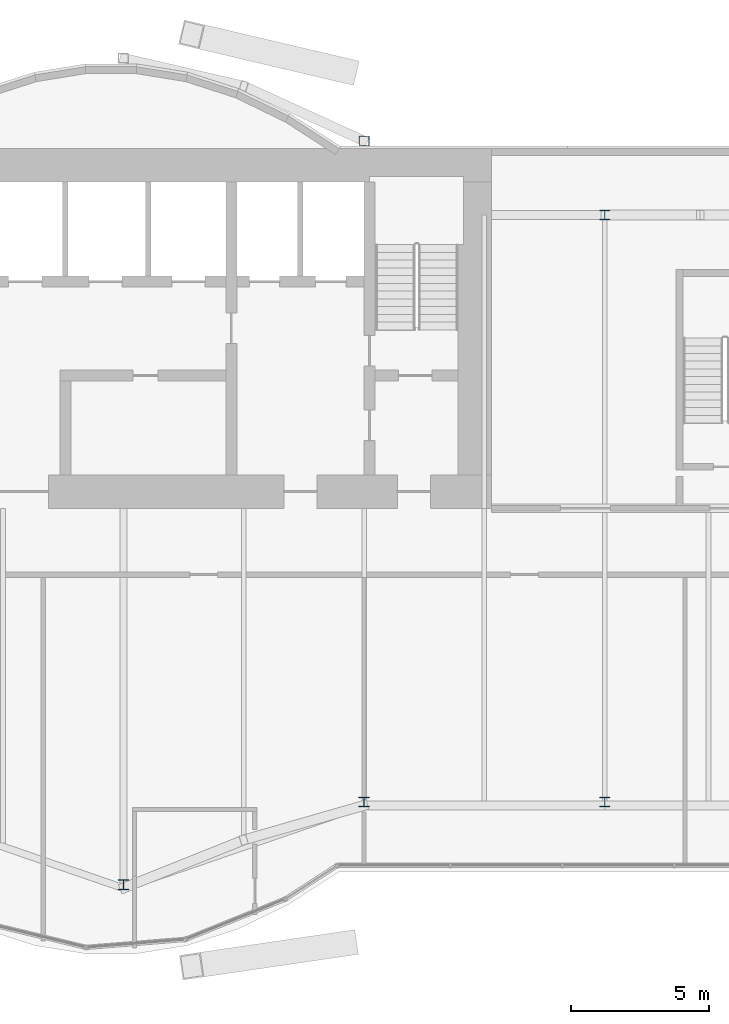
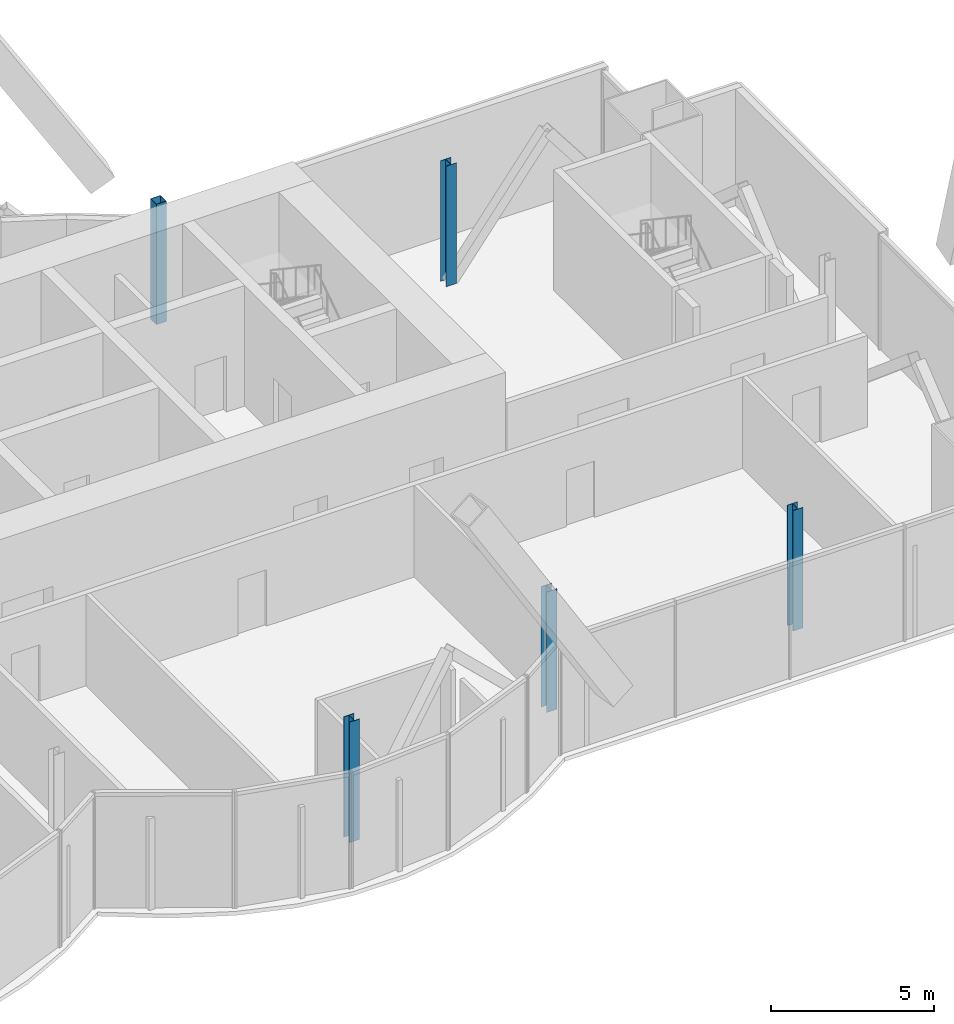
# One storey, part 2 of 22: 5 columns.
"""IFC4 building model written with IfcOpenShell, lengths in metres."""

import ifcopenshell
import ifcopenshell.guid

model = None  # the IFC model being written
_history = None  # IfcOwnerHistory: only IFC2X3 demands one
_inside = {}  # id of a spatial element -> (the spatial element, [elements in it])
_under = {}  # id of a project, library or spatial element -> (it, [spatial elements below it])
_declared = {}  # id of a project -> (the project, [libraries it declares])
_typed = {}  # id of a type object -> (the type object, [elements of that type])
_made_of = {}  # id of a material, layer set ... -> (it, [elements and type objects made of it])


def new_model(schema):
    """Start an empty IFC model of exactly this schema.

    Asked for "IFC4X3", IfcOpenShell would pick the latest addendum, in which some entities
    have other attributes; the version numbers below select the first issue.
    IFC2X3 requires an IfcOwnerHistory on every rooted entity: one is made here for all.
    """
    global model, _history
    if schema == "IFC4X3":
        model = ifcopenshell.file(schema_version=(4, 3, 0, 0))
    else:
        model = ifcopenshell.file(schema=schema)
    _inside.clear()
    _under.clear()
    _declared.clear()
    _typed.clear()
    _made_of.clear()
    _history = None
    if model.schema == "IFC2X3":
        org = make("IfcOrganization", Name="unknown")
        user = make(
            "IfcPersonAndOrganization",
            ThePerson=make("IfcPerson", FamilyName="unknown"),
            TheOrganization=org,
        )
        app = make(
            "IfcApplication",
            ApplicationDeveloper=org,
            Version="unknown",
            ApplicationFullName="unknown",
            ApplicationIdentifier="unknown",
        )
        _history = make(
            "IfcOwnerHistory",
            OwningUser=user,
            OwningApplication=app,
            ChangeAction="ADDED",
            CreationDate=0,
        )
    return model


def make(cls, **values):
    """One entity of the class cls with the attributes given. An attribute that is None is left unset."""
    return model.create_entity(
        cls, **{name: value for name, value in values.items() if value is not None}
    )


def rooted(cls, **values):
    """An entity with a GlobalId (a new one), such as an element, a storey or a relation."""
    return make(cls, GlobalId=ifcopenshell.guid.new(), OwnerHistory=_history, **values)


def si_unit(unit_type, name, prefix=None):
    """IfcSIUnit, for example si_unit("LENGTHUNIT", "METRE", prefix="MILLI")."""
    return make("IfcSIUnit", UnitType=unit_type, Prefix=prefix, Name=name)


def assignment(units):
    """IfcUnitAssignment: the units of a project."""
    return None if units is None else make("IfcUnitAssignment", Units=units)


def point(xyz):
    """IfcCartesianPoint."""
    return None if xyz is None else make("IfcCartesianPoint", Coordinates=xyz)


def direction(xyz):
    """IfcDirection."""
    return None if xyz is None else make("IfcDirection", DirectionRatios=xyz)


def frame(location, z_axis=None, x_axis=None):
    """IfcAxis2Placement3D, a coordinate frame: its origin and axes. An axis left out is left unset."""
    return make(
        "IfcAxis2Placement3D",
        Location=point(location),
        Axis=direction(z_axis),
        RefDirection=direction(x_axis),
    )


def frame_2d(location, x_axis=None):
    """IfcAxis2Placement2D, a coordinate frame in the plane: its origin and x axis."""
    return make(
        "IfcAxis2Placement2D", Location=point(location), RefDirection=direction(x_axis)
    )


def origin():
    """The frame at (0, 0, 0) with its axes left unset."""
    return frame((0.0, 0.0, 0.0))


def origin_2d():
    """The frame at (0, 0) in the plane with its x axis left unset."""
    return frame_2d((0.0, 0.0))


def place(relative_to, where):
    """IfcLocalPlacement: puts the frame where relative to a parent placement (None: the world)."""
    return make(
        "IfcLocalPlacement", PlacementRelTo=relative_to, RelativePlacement=where
    )


def context(
    kind, dimensions, precision=None, world=None, true_north=None, identifier=None
):
    """IfcGeometricRepresentationContext, for example the 3D "Model" context."""
    return make(
        "IfcGeometricRepresentationContext",
        ContextIdentifier=identifier,
        ContextType=kind,
        CoordinateSpaceDimension=dimensions,
        Precision=precision,
        WorldCoordinateSystem=world,
        TrueNorth=true_north,
    )


def subcontext(parent, identifier, kind, view, scale=None):
    """IfcGeometricRepresentationSubContext, for example "Body" below "Model"."""
    return make(
        "IfcGeometricRepresentationSubContext",
        ContextIdentifier=identifier,
        ContextType=kind,
        ParentContext=parent,
        TargetScale=scale,
        TargetView=view,
    )


def project(units=None, contexts=None):
    """IfcProject with its units and contexts."""
    return rooted(
        "IfcProject",
        Name="project",
        RepresentationContexts=contexts,
        UnitsInContext=assignment(units),
    )


def spatial(cls, under=None, at=None, **own):
    """A site, building, storey or space (cls), placed at a placement, below another one or the project."""
    s = rooted(cls, ObjectPlacement=at, **own)
    if under is not None:
        _under.setdefault(under.id(), (under, []))[1].append(s)
    return s


def profile(cls, at=None, kind="AREA", **sizes):
    """A parametric profile (cls). Its sizes go by their IFC names, for example OverallWidth=200.0."""
    return make(cls, ProfileType=kind, Position=at, **sizes)


def hollow_rectangle(**sizes):
    """IfcRectangleHollowProfileDef."""
    return profile("IfcRectangleHollowProfileDef", **sizes)


def i_section(**sizes):
    """IfcIShapeProfileDef."""
    return profile("IfcIShapeProfileDef", **sizes)


def extrude(swept, where, along, depth):
    """IfcExtrudedAreaSolid: the profile swept, set in the frame where, extruded along a direction by depth."""
    return make(
        "IfcExtrudedAreaSolid",
        SweptArea=swept,
        Position=where,
        ExtrudedDirection=direction(along),
        Depth=depth,
    )


def shape(context_of_items, identifier, shape_type, items):
    """IfcShapeRepresentation: the items that make up one representation, for example the "Body"."""
    return make(
        "IfcShapeRepresentation",
        ContextOfItems=context_of_items,
        RepresentationIdentifier=identifier,
        RepresentationType=shape_type,
        Items=items,
    )


def material(Name=None, Category=None):
    """IfcMaterial."""
    return make("IfcMaterial", Name=Name, Category=Category)


def material_profile(
    of_material, cross_section, Name=None, Category=None, Priority=None
):
    """IfcMaterialProfile: a cross section and its material."""
    return make(
        "IfcMaterialProfile",
        Name=Name,
        Material=of_material,
        Profile=cross_section,
        Priority=Priority,
        Category=Category,
    )


def profile_set(profiles, Name=None, composite=None):
    """IfcMaterialProfileSet."""
    return make(
        "IfcMaterialProfileSet",
        Name=Name,
        MaterialProfiles=profiles,
        CompositeProfile=composite,
    )


def made_of(thing, what):
    """Note that an element or type object is made of a material, layer set ...; save() writes the relation."""
    if what is not None:
        _made_of.setdefault(what.id(), (what, []))[1].append(thing)
    return thing


def type_object(cls, material=None, **own):
    """A type object (cls), such as IfcWallType, which elements share."""
    return made_of(rooted(cls, **own), material)


def element(
    cls,
    number,
    at=None,
    inside=None,
    cuts=None,
    type_object=None,
    material=None,
    context=None,
    identifier="Body",
    shape_type=None,
    held_by="IfcProductDefinitionShape",
    body=None,
    shapes=None,
    **own,
):
    """One element of the class cls, such as IfcWall. Its Tag is "e" and its number.

    at: its placement. inside: the storey or other place that contains it. cuts: it is an
    opening in that element (IfcRelVoidsElement). A single representation is given by context,
    identifier, shape_type and body (its items); several are given by shapes. held_by: the class
    of the entity that holds the representations. save() writes the other relations.
    """
    e = rooted(cls, Tag="e%d" % number, ObjectPlacement=at, **own)
    if body is not None:
        shapes = [shape(context, identifier, shape_type, body)]
    if shapes is not None:
        e.Representation = make(held_by, Representations=shapes)
    if inside is not None:
        _inside.setdefault(inside.id(), (inside, []))[1].append(e)
    if cuts is not None:
        rooted(
            "IfcRelVoidsElement", RelatingBuildingElement=cuts, RelatedOpeningElement=e
        )
    if type_object is not None:
        _typed.setdefault(type_object.id(), (type_object, []))[1].append(e)
    return made_of(e, material)


def aggregate(whole, parts):
    """IfcRelAggregates: a whole, such as a stair, and the parts it consists of."""
    return rooted("IfcRelAggregates", RelatingObject=whole, RelatedObjects=parts)


def save(model, path):
    """Write the relations noted so far, then the file.

    IfcRelAggregates (storeys below a building ...), IfcRelContainedInSpatialStructure (elements
    in a storey), IfcRelDefinesByType, IfcRelAssociatesMaterial and IfcRelDeclares: one each for
    every whole, place, type object, material and project.
    """
    for whole, parts in _under.values():
        aggregate(whole, parts)
    for where, things in _inside.values():
        rooted(
            "IfcRelContainedInSpatialStructure",
            RelatedElements=things,
            RelatingStructure=where,
        )
    for kind, things in _typed.values():
        rooted("IfcRelDefinesByType", RelatedObjects=things, RelatingType=kind)
    for what, things in _made_of.values():
        rooted("IfcRelAssociatesMaterial", RelatedObjects=things, RelatingMaterial=what)
    for by, libraries in _declared.values():
        rooted("IfcRelDeclares", RelatingContext=by, RelatedDefinitions=libraries)
    model.write(path)


model = new_model("IFC4")

# Units and contexts
model_context = context("Model", 3, precision=1e-05, world=origin(), true_north=direction((0.0, 1.0)))
body_context = subcontext(model_context, "Body", "Model", "MODEL_VIEW")
ifc_project = project(units=[si_unit("LENGTHUNIT", "METRE"), si_unit("AREAUNIT", "SQUARE_METRE"), si_unit("VOLUMEUNIT", "CUBIC_METRE"), si_unit("PLANEANGLEUNIT", "RADIAN"), si_unit("MASSUNIT", "GRAM", prefix="KILO")], contexts=[model_context])

# Site, building, storey
site_placement = place(None, origin())
site = spatial("IfcSite", under=ifc_project, at=site_placement, CompositionType="ELEMENT")
building_placement = place(site_placement, origin())
building = spatial("IfcBuilding", under=site, at=building_placement, Name="Bicima Exchange Tower", CompositionType="ELEMENT")
storey_placement = place(building_placement, frame((0.0, 0.0, 315.5)))
storey = spatial("IfcBuildingStorey", under=building, at=storey_placement, Name="L71", CompositionType="ELEMENT", Elevation=315.5)

# Columns
ifc_material_1 = material(Name="Steel ASTM A992 Gr 50", Category="steel")
ifc_material_profile_1 = material_profile(ifc_material_1, i_section(OverallWidth=0.368408203125, OverallDepth=0.355712890625, WebThickness=0.01123046875, FlangeThickness=0.01806640625, at=origin_2d()))
ifc_profile_set_1 = profile_set([ifc_material_profile_1], Name="Steel ASTM A992 Gr 50")
column_type_1 = type_object("IfcColumnType", Name="Perimeter column W14x90", PredefinedType="COLUMN", material=ifc_profile_set_1)
for number, where, z_axis, x_axis, name in (
    (1, (8.699951171875, -26.609130859375, 0.0), (0.0, 0.0, 1.0), (1.0, 0.0, 0.0), "Perimeter column grav+8.7f"),
    (2, (17.39990234375, -23.617919921875, 0.0), (0.0, 0.0, 1.0), (1.0, 0.0, 0.0), "Perimeter column grav+17.4f"),
    (3, (26.10009765625, -23.617919921875, 0.0), (0.0, 0.0, 1.0), (1.0, 0.0, 0.0), "Perimeter column grav+26.1f"),
    (4, (26.10009765625, -2.39990234375, 0.0), (0.0, 0.0, 1.0), (1.0, 0.0, 0.0), "Perimeter column grav+26.1r"),
):
    element("IfcColumn", number, at=place(storey_placement, frame(where, z_axis=z_axis, x_axis=x_axis)), inside=storey, type_object=column_type_1, Name=name, PredefinedType="COLUMN", context=body_context, shape_type="SweptSolid", body=[
        extrude(i_section(OverallWidth=0.368408203125, OverallDepth=0.355712890625, WebThickness=0.01123046875, FlangeThickness=0.01806640625, at=origin_2d()), origin(), (0.0, 0.0, 1.0), 4.5),
    ])
ifc_material_2 = material(Name="Steel ASTM A572 Gr 50", Category="steel")
ifc_material_profile_2 = material_profile(ifc_material_2, hollow_rectangle(XDim=0.355712890625, YDim=0.355712890625, WallThickness=0.01171875, at=origin_2d()))
ifc_profile_set_2 = profile_set([ifc_material_profile_2], Name="Steel ASTM A572 Gr 50")
column_type_2 = type_object("IfcColumnType", Name="Rear pilaster HSS14x14x1/2", PredefinedType="COLUMN", material=ifc_profile_set_2)
column_placement = place(storey_placement, frame((17.39990234375, 0.278076171875, 0.0), z_axis=(0.0, 0.0, 1.0), x_axis=(1.0, 0.0, 0.0)))
element("IfcColumn", 5, at=column_placement, inside=storey, type_object=column_type_2, Name="Rear pilaster rexo+17.4r", PredefinedType="COLUMN", context=body_context, shape_type="SweptSolid", body=[
    extrude(hollow_rectangle(XDim=0.355712890625, YDim=0.355712890625, WallThickness=0.01171875, at=origin_2d()), origin(), (0.0, 0.0, 1.0), 4.5),
])

save(model, "model.ifc")
